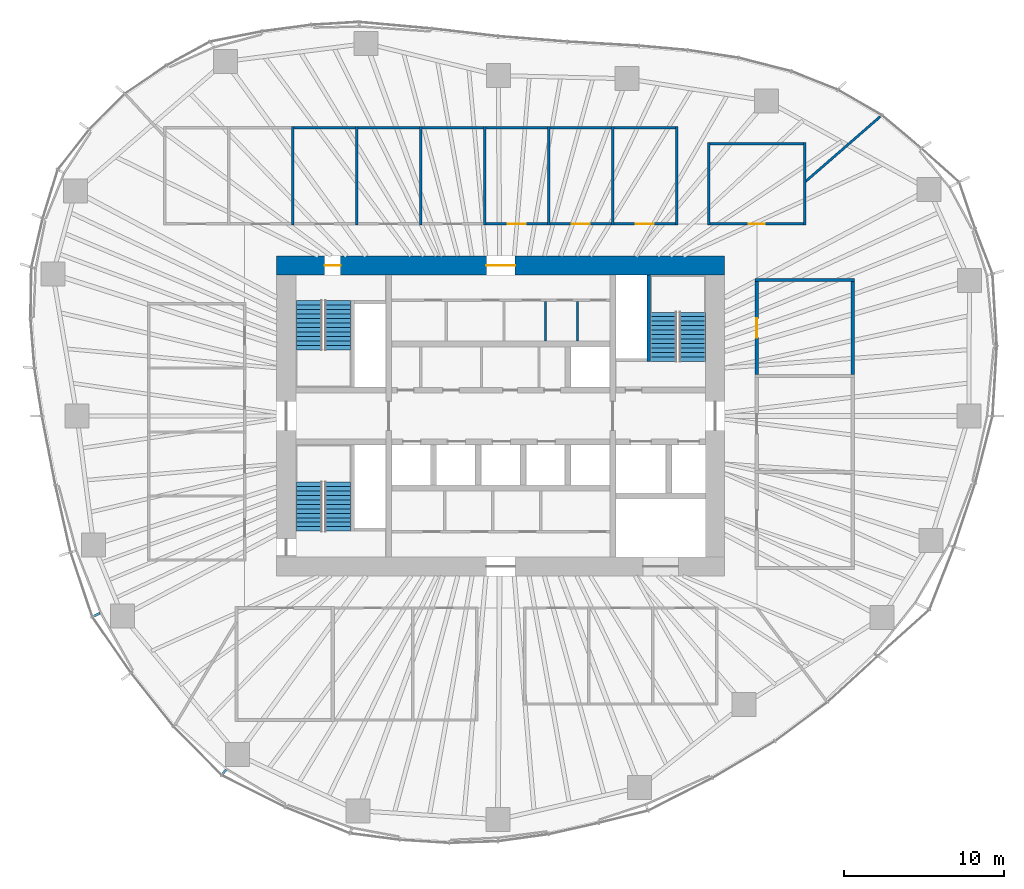
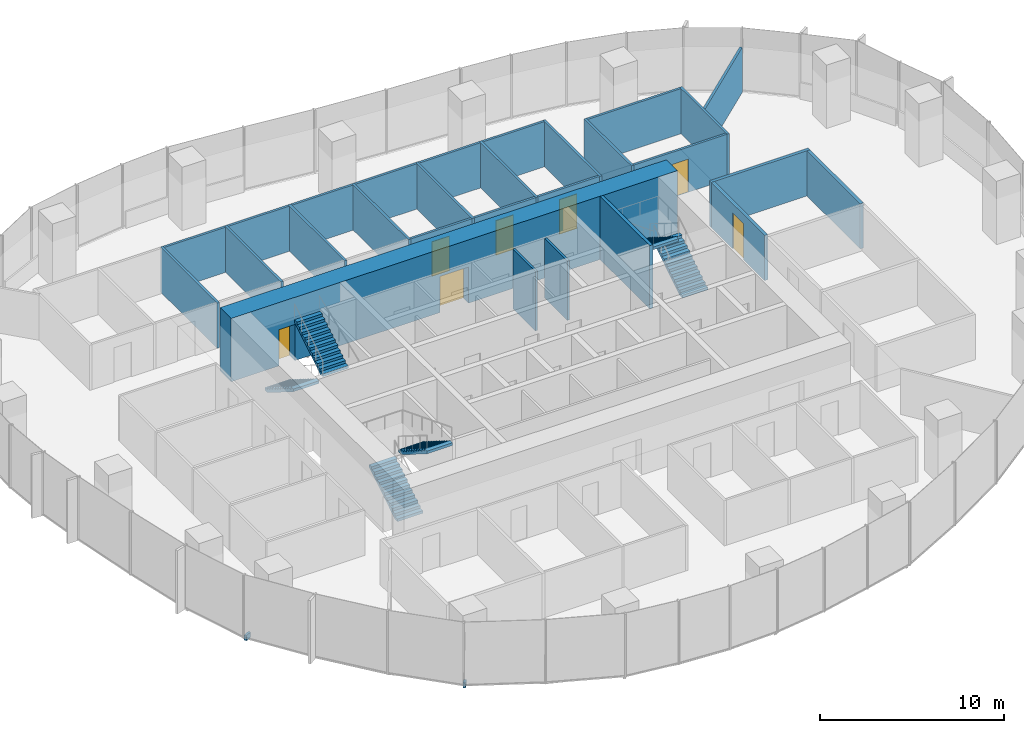
# One storey, part 11 of 18: 28 walls, 7 doors, 6 stair flights, 2 discrete accessories, 7 openings, 3 elements without a shape of their own.
"""IFC4 building model written with IfcOpenShell, lengths in metres."""

from ifc_helpers import new_model, si_unit, direction, frame, frame_2d, origin, origin_2d, place, context, subcontext, project, spatial, polyline, rectangle, outline, extrude, material, layer, layer_set, type_object, element, fill, aggregate, save


model = new_model("IFC4")

# Units and contexts
model_context = context("Model", 3, precision=1e-05, world=origin(), true_north=direction((0.0, 1.0)))
body_context = subcontext(model_context, "Body", "Model", "MODEL_VIEW")
ifc_project = project(units=[si_unit("LENGTHUNIT", "METRE"), si_unit("AREAUNIT", "SQUARE_METRE"), si_unit("VOLUMEUNIT", "CUBIC_METRE"), si_unit("PLANEANGLEUNIT", "RADIAN"), si_unit("MASSUNIT", "GRAM", prefix="KILO")], contexts=[model_context])

# Site, building, storey
site_placement = place(None, origin())
site = spatial("IfcSite", under=ifc_project, at=site_placement, CompositionType="ELEMENT")
building_placement = place(site_placement, origin())
building = spatial("IfcBuilding", under=site, at=building_placement, Name="Ghaith Harvest Tower", CompositionType="ELEMENT")
storey_placement = place(building_placement, frame((0.0, 0.0, 113.39990234375)))
storey = spatial("IfcBuildingStorey", under=building, at=storey_placement, Name="L23", CompositionType="ELEMENT", Elevation=113.39990234375)

# Wall
ifc_material_1 = material(Name="Twin-stud gypsum board, acoustic", Category="gypsum")
ifc_layer_1 = layer(ifc_material_1, 0.199951171875)
ifc_layer_set_1 = layer_set([ifc_layer_1], Name="ACOUSTIC PARTITION 200")
wall_type_1 = type_object("IfcWallType", Name="ACOUSTIC PARTITION 200", PredefinedType="PARTITIONING", material=ifc_layer_set_1)
wall_1_placement = place(storey_placement, frame((15.89990234375, 8.5, 0.0), z_axis=(0.0, 0.0, 1.0), x_axis=(1.0, 0.0, 0.0)))
element("IfcWall", 1, at=wall_1_placement, inside=storey, type_object=wall_type_1, Name="Partition L23 row E3 cross wall 4", PredefinedType="PARTITIONING", context=body_context, shape_type="SweptSolid", body=[
    extrude(rectangle(XDim=6.2001953125, YDim=0.199951171875, at=frame_2d((3.10009765625, 0.0))), origin(), (0.0, 0.0, 1.0), 3.0),
])

# Wall, opening, door
wall_2_placement = place(storey_placement, frame((16.0, 2.60009765625, 0.0), z_axis=(0.0, 0.0, 1.0), x_axis=(0.0, 1.0, 0.0)))
wall_2 = element("IfcWall", 2, at=wall_2_placement, inside=storey, type_object=wall_type_1, Name="Partition L23-12", PredefinedType="PARTITIONING", context=body_context, shape_type="SweptSolid", body=[
    extrude(rectangle(XDim=5.7998046875, YDim=0.199951171875, at=frame_2d((2.89990234375, 0.0))), origin(), (0.0, 0.0, 1.0), 3.0),
])
opening_1_placement = place(wall_2_placement, frame((2.300048828125, 0.0, 0.0)))
opening_1 = element("IfcOpeningElement", 3, at=opening_1_placement, cuts=wall_2, Name="Opening 23-041", PredefinedType="OPENING", context=body_context, shape_type="SweptSolid", body=[
    extrude(rectangle(XDim=1.199951171875, YDim=2.39990234375, at=frame_2d((0.60009765625, 1.199951171875))), frame((0.0, 0.10986328125, 0.0), z_axis=(0.0, -1.0, 0.0), x_axis=(1.0, 0.0, 0.0)), (0.0, 0.0, 1.0), 0.219970703125),
])
ifc_material_2 = material(Name="Timber door", Category="wood")
door_type_1 = type_object("IfcDoorType", Name="D11 GLAZED 1200x2400", OperationType="SINGLE_SWING_LEFT", PredefinedType="DOOR", material=ifc_material_2)
door_1_placement = place(opening_1_placement, origin())
door_1 = element("IfcDoor", 4, at=door_1_placement, inside=storey, type_object=door_type_1, Name="Meeting room door", OperationType="SINGLE_SWING_LEFT", OverallHeight=2.39990234375, OverallWidth=1.199951171875, PredefinedType="DOOR", context=body_context, shape_type="SweptSolid", body=[
    extrude(rectangle(XDim=1.199951171875, YDim=2.39990234375, at=frame_2d((0.60009765625, 1.199951171875))), frame((0.0, 0.02490234375, 0.0), z_axis=(0.0, -1.0, 0.0), x_axis=(1.0, 0.0, 0.0)), (0.0, 0.0, 1.0), 0.050048828125),
])
fill(opening_1, door_1)

# Walls
wall_3_placement = place(storey_placement, frame((22.0, 2.60009765625, 0.0), z_axis=(0.0, 0.0, 1.0), x_axis=(0.0, 1.0, 0.0)))
element("IfcWall", 5, at=wall_3_placement, inside=storey, type_object=wall_type_1, Name="Partition L23-12", PredefinedType="PARTITIONING", context=body_context, shape_type="SweptSolid", body=[
    extrude(rectangle(XDim=5.7998046875, YDim=0.199951171875, at=frame_2d((2.89990234375, 0.0))), origin(), (0.0, 0.0, 1.0), 3.0),
])
ifc_material_3 = material(Name="Concrete blockwork, fair-faced", Category="masonry")
ifc_layer_2 = layer(ifc_material_3, 0.139892578125)
ifc_layer_set_2 = layer_set([ifc_layer_2], Name="CORE PARTITION 140")
wall_type_2 = type_object("IfcWallType", Name="CORE PARTITION 140", PredefinedType="PARTITIONING", material=ifc_layer_set_2)
for number, where, z_axis, x_axis, name in (
    (6, (2.800048828125, 4.699951171875, 0.0), (0.0, 0.0, 1.0), (0.0, 1.0, 0.0), "Core partition L23"),
    (7, (4.800048828125, 4.699951171875, 0.0), (0.0, 0.0, 1.0), (0.0, 1.0, 0.0), "Core partition L23"),
):
    element("IfcWall", number, at=place(storey_placement, frame(where, z_axis=z_axis, x_axis=x_axis)), inside=storey, type_object=wall_type_2, Name=name, PredefinedType="PARTITIONING", context=body_context, shape_type="SweptSolid", body=[
        extrude(rectangle(XDim=2.4599609375, YDim=0.139892578125, at=frame_2d((1.22998046875, 0.0))), origin(), (0.0, 0.0, 1.0), 3.9501953125),
    ])

# Wall, openings, doors
ifc_material_4 = material(Name="Concrete C60/75", Category="concrete")
ifc_layer_3 = layer(ifc_material_4, 1.199951171875)
ifc_layer_set_3 = layer_set([ifc_layer_3], Name="CORE WALL CW1200 C60")
wall_type_3 = type_object("IfcWallType", Name="CORE WALL CW1200 C60", PredefinedType="SHEAR", material=ifc_layer_set_3)
wall_4_placement = place(storey_placement, frame((14.0, 9.39990234375, 0.0), z_axis=(0.0, 0.0, 1.0), x_axis=(-1.0, 0.0, 0.0)))
wall_4 = element("IfcWall", 8, at=wall_4_placement, inside=storey, type_object=wall_type_3, Name="Core wall N L23", PredefinedType="SHEAR", context=body_context, shape_type="SweptSolid", body=[
    extrude(rectangle(XDim=28.0, YDim=1.199951171875, at=frame_2d((14.0, 0.0))), origin(), (0.0, 0.0, 1.0), 4.2001953125),
])
opening_2_placement = place(wall_4_placement, frame((24.0, 0.0, 0.0)))
opening_2 = element("IfcOpeningElement", 9, at=opening_2_placement, cuts=wall_4, Name="Opening 23-005", PredefinedType="OPENING", context=body_context, shape_type="SweptSolid", body=[
    extrude(rectangle(XDim=1.0, YDim=2.39990234375, at=frame_2d((0.5, 1.199951171875))), frame((0.0, 0.60986328125, 0.0), z_axis=(0.0, -1.0, 0.0), x_axis=(1.0, 0.0, 0.0)), (0.0, 0.0, 1.0), 1.219970703125),
])
opening_3_placement = place(wall_4_placement, frame((13.10009765625, 0.0, 0.0)))
opening_3 = element("IfcOpeningElement", 10, at=opening_3_placement, cuts=wall_4, Name="Opening 23-021", PredefinedType="OPENING", context=body_context, shape_type="SweptSolid", body=[
    extrude(rectangle(XDim=1.800048828125, YDim=2.39990234375, at=frame_2d((0.89990234375, 1.199951171875))), frame((0.0, 0.60986328125, 0.0), z_axis=(0.0, -1.0, 0.0), x_axis=(1.0, 0.0, 0.0)), (0.0, 0.0, 1.0), 1.219970703125),
])
ifc_material_5 = material(Name="Steel fire door", Category="steel")
door_type_2 = type_object("IfcDoorType", Name="D3 FD90 1000x2400", OperationType="SINGLE_SWING_LEFT", PredefinedType="DOOR", material=ifc_material_5)
door_2_placement = place(opening_2_placement, origin())
door_2 = element("IfcDoor", 11, at=door_2_placement, inside=storey, type_object=door_type_2, Name="Stair ST1 door", OperationType="SINGLE_SWING_RIGHT", OverallHeight=2.39990234375, OverallWidth=1.0, PredefinedType="DOOR", context=body_context, shape_type="SweptSolid", body=[
    extrude(rectangle(XDim=1.0, YDim=2.39990234375, at=frame_2d((0.5, 1.199951171875))), frame((0.0, 0.02490234375, 0.0), z_axis=(0.0, -1.0, 0.0), x_axis=(1.0, 0.0, 0.0)), (0.0, 0.0, 1.0), 0.050048828125),
])
fill(opening_2, door_2)
ifc_material_6 = material(Name="Steel fire door", Category="steel")
door_type_3 = type_object("IfcDoorType", Name="D4 FD90 PAIR 1800x2400", OperationType="DOUBLE_DOOR_SINGLE_SWING", PredefinedType="DOOR", material=ifc_material_6)
door_3_placement = place(opening_3_placement, origin())
door_3 = element("IfcDoor", 12, at=door_3_placement, inside=storey, type_object=door_type_3, Name="Core service corridor doors", OperationType="DOUBLE_DOOR_SINGLE_SWING", OverallHeight=2.39990234375, OverallWidth=1.800048828125, PredefinedType="DOOR", context=body_context, shape_type="SweptSolid", body=[
    extrude(rectangle(XDim=1.800048828125, YDim=2.39990234375, at=frame_2d((0.89990234375, 1.199951171875))), frame((0.0, 0.02490234375, 0.0), z_axis=(0.0, -1.0, 0.0), x_axis=(1.0, 0.0, 0.0)), (0.0, 0.0, 1.0), 0.050048828125),
])
fill(opening_3, door_3)

# Walls
ifc_material_7 = material(Name="Gypsum board on steel studs", Category="steel")
ifc_layer_4 = layer(ifc_material_7, 0.14990234375)
ifc_layer_set_4 = layer_set([ifc_layer_4], Name="PARTITION 150")
wall_type_4 = type_object("IfcWallType", Name="PARTITION 150", PredefinedType="PARTITIONING", material=ifc_layer_set_4)
for number, where, z_axis, x_axis, name in (
    (13, (-13.0, 11.925048828125, 0.0), (0.0, 0.0, 1.0), (0.0, 1.0, 0.0), "Partition L23 row N1 cross wall 3"),
    (14, (-9.0, 11.925048828125, 0.0), (0.0, 0.0, 1.0), (0.0, 1.0, 0.0), "Partition L23 row N1 cross wall 4"),
    (15, (-5.0, 11.925048828125, 0.0), (0.0, 0.0, 1.0), (0.0, 1.0, 0.0), "Partition L23 row N1 cross wall 5"),
    (16, (-1.0, 11.925048828125, 0.0), (0.0, 0.0, 1.0), (0.0, 1.0, 0.0), "Partition L23 row N1 cross wall 6"),
    (17, (3.0, 11.925048828125, 0.0), (0.0, 0.0, 1.0), (0.0, 1.0, 0.0), "Partition L23 row N1 cross wall 7"),
    (18, (7.0, 11.925048828125, 0.0), (0.0, 0.0, 1.0), (0.0, 1.0, 0.0), "Partition L23 row N1 cross wall 8"),
    (19, (11.0, 11.925048828125, 0.0), (0.0, 0.0, 1.0), (0.0, 1.0, 0.0), "Partition L23 row N1 cross wall 9"),
):
    element("IfcWall", number, at=place(storey_placement, frame(where, z_axis=z_axis, x_axis=x_axis)), inside=storey, type_object=wall_type_4, Name=name, PredefinedType="PARTITIONING", context=body_context, shape_type="SweptSolid", body=[
        extrude(rectangle(XDim=6.14990234375, YDim=0.14990234375, at=frame_2d((3.074951171875, 0.0))), origin(), (0.0, 0.0, 1.0), 3.0),
    ])
for number, where, z_axis, x_axis, name in (
    (20, (-12.925048828125, 18.0, 0.0), (0.0, 0.0, 1.0), (1.0, 0.0, 0.0), "Partition L23-03"),
    (21, (-8.925048828125, 18.0, 0.0), (0.0, 0.0, 1.0), (1.0, 0.0, 0.0), "Partition L23-04"),
    (22, (-4.925048828125, 18.0, 0.0), (0.0, 0.0, 1.0), (1.0, 0.0, 0.0), "Partition L23-05"),
):
    element("IfcWall", number, at=place(storey_placement, frame(where, z_axis=z_axis, x_axis=x_axis)), inside=storey, type_object=wall_type_4, Name=name, PredefinedType="PARTITIONING", context=body_context, shape_type="SweptSolid", body=[
        extrude(rectangle(XDim=3.85009765625, YDim=0.14990234375, at=frame_2d((1.925048828125, 0.0))), origin(), (0.0, 0.0, 1.0), 3.0),
    ])

# Wall, opening, door
wall_5_placement = place(storey_placement, frame((-0.925048828125, 12.0, 0.0), z_axis=(0.0, 0.0, 1.0), x_axis=(1.0, 0.0, 0.0)))
wall_5 = element("IfcWall", 23, at=wall_5_placement, inside=storey, type_object=wall_type_4, Name="Partition L23-06", PredefinedType="PARTITIONING", context=body_context, shape_type="SweptSolid", body=[
    extrude(rectangle(XDim=3.85009765625, YDim=0.14990234375, at=frame_2d((1.925048828125, 0.0))), origin(), (0.0, 0.0, 1.0), 3.0),
])
opening_4_placement = place(wall_5_placement, frame((1.375, 0.0, 0.0)))
opening_4 = element("IfcOpeningElement", 24, at=opening_4_placement, cuts=wall_5, Name="Opening 23-035", PredefinedType="OPENING", context=body_context, shape_type="SweptSolid", body=[
    extrude(rectangle(XDim=1.10009765625, YDim=2.300048828125, at=frame_2d((0.550048828125, 1.14990234375))), frame((0.0, 0.0849609375, 0.0), z_axis=(0.0, -1.0, 0.0), x_axis=(1.0, 0.0, 0.0)), (0.0, 0.0, 1.0), 0.169921875),
])
ifc_material_8 = material(Name="Timber-framed glazed door", Category="wood")
door_type_4 = type_object("IfcDoorType", Name="D12 GLAZED OFFICE 1100x2300", OperationType="SINGLE_SWING_LEFT", PredefinedType="DOOR", material=ifc_material_8)
door_4_placement = place(opening_4_placement, origin())
door_4 = element("IfcDoor", 25, at=door_4_placement, inside=storey, type_object=door_type_4, Name="Office door", OperationType="SINGLE_SWING_LEFT", OverallHeight=2.300048828125, OverallWidth=1.10009765625, PredefinedType="DOOR", context=body_context, shape_type="SweptSolid", body=[
    extrude(rectangle(XDim=1.10009765625, YDim=2.300048828125, at=frame_2d((0.550048828125, 1.14990234375))), frame((0.0, 0.02490234375, 0.0), z_axis=(0.0, -1.0, 0.0), x_axis=(1.0, 0.0, 0.0)), (0.0, 0.0, 1.0), 0.050048828125),
])
fill(opening_4, door_4)

# Wall
wall_6_placement = place(storey_placement, frame((-0.925048828125, 18.0, 0.0), z_axis=(0.0, 0.0, 1.0), x_axis=(1.0, 0.0, 0.0)))
element("IfcWall", 26, at=wall_6_placement, inside=storey, type_object=wall_type_4, Name="Partition L23-06", PredefinedType="PARTITIONING", context=body_context, shape_type="SweptSolid", body=[
    extrude(rectangle(XDim=3.85009765625, YDim=0.14990234375, at=frame_2d((1.925048828125, 0.0))), origin(), (0.0, 0.0, 1.0), 3.0),
])

# Wall, opening, door
wall_7_placement = place(storey_placement, frame((3.074951171875, 12.0, 0.0), z_axis=(0.0, 0.0, 1.0), x_axis=(1.0, 0.0, 0.0)))
wall_7 = element("IfcWall", 27, at=wall_7_placement, inside=storey, type_object=wall_type_4, Name="Partition L23-07", PredefinedType="PARTITIONING", context=body_context, shape_type="SweptSolid", body=[
    extrude(rectangle(XDim=3.85009765625, YDim=0.14990234375, at=frame_2d((1.925048828125, 0.0))), origin(), (0.0, 0.0, 1.0), 3.0),
])
opening_5_placement = place(wall_7_placement, frame((1.375, 0.0, 0.0)))
opening_5 = element("IfcOpeningElement", 28, at=opening_5_placement, cuts=wall_7, Name="Opening 23-036", PredefinedType="OPENING", context=body_context, shape_type="SweptSolid", body=[
    extrude(rectangle(XDim=1.10009765625, YDim=2.300048828125, at=frame_2d((0.550048828125, 1.14990234375))), frame((0.0, 0.0849609375, 0.0), z_axis=(0.0, -1.0, 0.0), x_axis=(1.0, 0.0, 0.0)), (0.0, 0.0, 1.0), 0.169921875),
])
door_5_placement = place(opening_5_placement, origin())
door_5 = element("IfcDoor", 29, at=door_5_placement, inside=storey, type_object=door_type_4, Name="Office door", OperationType="SINGLE_SWING_LEFT", OverallHeight=2.300048828125, OverallWidth=1.10009765625, PredefinedType="DOOR", context=body_context, shape_type="SweptSolid", body=[
    extrude(rectangle(XDim=1.10009765625, YDim=2.300048828125, at=frame_2d((0.550048828125, 1.14990234375))), frame((0.0, 0.02490234375, 0.0), z_axis=(0.0, -1.0, 0.0), x_axis=(1.0, 0.0, 0.0)), (0.0, 0.0, 1.0), 0.050048828125),
])
fill(opening_5, door_5)

# Wall
wall_8_placement = place(storey_placement, frame((3.074951171875, 18.0, 0.0), z_axis=(0.0, 0.0, 1.0), x_axis=(1.0, 0.0, 0.0)))
element("IfcWall", 30, at=wall_8_placement, inside=storey, type_object=wall_type_4, Name="Partition L23-07", PredefinedType="PARTITIONING", context=body_context, shape_type="SweptSolid", body=[
    extrude(rectangle(XDim=3.85009765625, YDim=0.14990234375, at=frame_2d((1.925048828125, 0.0))), origin(), (0.0, 0.0, 1.0), 3.0),
])

# Wall, opening, door
wall_9_placement = place(storey_placement, frame((7.074951171875, 12.0, 0.0), z_axis=(0.0, 0.0, 1.0), x_axis=(1.0, 0.0, 0.0)))
wall_9 = element("IfcWall", 31, at=wall_9_placement, inside=storey, type_object=wall_type_4, Name="Partition L23-08", PredefinedType="PARTITIONING", context=body_context, shape_type="SweptSolid", body=[
    extrude(rectangle(XDim=3.85009765625, YDim=0.14990234375, at=frame_2d((1.925048828125, 0.0))), origin(), (0.0, 0.0, 1.0), 3.0),
])
opening_6_placement = place(wall_9_placement, frame((1.375, 0.0, 0.0)))
opening_6 = element("IfcOpeningElement", 32, at=opening_6_placement, cuts=wall_9, Name="Opening 23-037", PredefinedType="OPENING", context=body_context, shape_type="SweptSolid", body=[
    extrude(rectangle(XDim=1.10009765625, YDim=2.300048828125, at=frame_2d((0.550048828125, 1.14990234375))), frame((0.0, 0.0849609375, 0.0), z_axis=(0.0, -1.0, 0.0), x_axis=(1.0, 0.0, 0.0)), (0.0, 0.0, 1.0), 0.169921875),
])
door_6_placement = place(opening_6_placement, origin())
door_6 = element("IfcDoor", 33, at=door_6_placement, inside=storey, type_object=door_type_4, Name="Office door", OperationType="SINGLE_SWING_LEFT", OverallHeight=2.300048828125, OverallWidth=1.10009765625, PredefinedType="DOOR", context=body_context, shape_type="SweptSolid", body=[
    extrude(rectangle(XDim=1.10009765625, YDim=2.300048828125, at=frame_2d((0.550048828125, 1.14990234375))), frame((0.0, 0.02490234375, 0.0), z_axis=(0.0, -1.0, 0.0), x_axis=(1.0, 0.0, 0.0)), (0.0, 0.0, 1.0), 0.050048828125),
])
fill(opening_6, door_6)

# Walls
wall_10_placement = place(storey_placement, frame((7.074951171875, 18.0, 0.0), z_axis=(0.0, 0.0, 1.0), x_axis=(1.0, 0.0, 0.0)))
element("IfcWall", 34, at=wall_10_placement, inside=storey, type_object=wall_type_4, Name="Partition L23-08", PredefinedType="PARTITIONING", context=body_context, shape_type="SweptSolid", body=[
    extrude(rectangle(XDim=3.85009765625, YDim=0.14990234375, at=frame_2d((1.925048828125, 0.0))), origin(), (0.0, 0.0, 1.0), 3.0),
])
for number, where, z_axis, x_axis, name in (
    (35, (13.0, 11.925048828125, 0.0), (0.0, 0.0, 1.0), (0.0, 1.0, 0.0), "Partition L23 row N2 cross wall 1"),
    (36, (19.0, 11.925048828125, 0.0), (0.0, 0.0, 1.0), (0.0, 1.0, 0.0), "Partition L23 row N2 cross wall 2"),
):
    element("IfcWall", number, at=place(storey_placement, frame(where, z_axis=z_axis, x_axis=x_axis)), inside=storey, type_object=wall_type_4, Name=name, PredefinedType="PARTITIONING", context=body_context, shape_type="SweptSolid", body=[
        extrude(rectangle(XDim=5.14990234375, YDim=0.14990234375, at=frame_2d((2.574951171875, 0.0))), origin(), (0.0, 0.0, 1.0), 3.0),
    ])

# Wall, opening, door
wall_11_placement = place(storey_placement, frame((13.074951171875, 12.0, 0.0), z_axis=(0.0, 0.0, 1.0), x_axis=(1.0, 0.0, 0.0)))
wall_11 = element("IfcWall", 37, at=wall_11_placement, inside=storey, type_object=wall_type_4, Name="Partition L23-09", PredefinedType="PARTITIONING", context=body_context, shape_type="SweptSolid", body=[
    extrude(rectangle(XDim=5.85009765625, YDim=0.14990234375, at=frame_2d((2.925048828125, 0.0))), origin(), (0.0, 0.0, 1.0), 3.0),
])
opening_7_placement = place(wall_11_placement, frame((2.425048828125, 0.0, 0.0)))
opening_7 = element("IfcOpeningElement", 38, at=opening_7_placement, cuts=wall_11, Name="Opening 23-038", PredefinedType="OPENING", context=body_context, shape_type="SweptSolid", body=[
    extrude(rectangle(XDim=1.0, YDim=2.199951171875, at=frame_2d((0.5, 1.10009765625))), frame((0.0, 0.0849609375, 0.0), z_axis=(0.0, -1.0, 0.0), x_axis=(1.0, 0.0, 0.0)), (0.0, 0.0, 1.0), 0.169921875),
])
ifc_material_9 = material(Name="Timber door", Category="wood")
door_type_5 = type_object("IfcDoorType", Name="D1 SINGLE 1000x2200", OperationType="SINGLE_SWING_LEFT", PredefinedType="DOOR", material=ifc_material_9)
door_7_placement = place(opening_7_placement, origin())
door_7 = element("IfcDoor", 39, at=door_7_placement, inside=storey, type_object=door_type_5, Name="Pantry door", OperationType="SINGLE_SWING_LEFT", OverallHeight=2.199951171875, OverallWidth=1.0, PredefinedType="DOOR", context=body_context, shape_type="SweptSolid", body=[
    extrude(rectangle(XDim=1.0, YDim=2.199951171875, at=frame_2d((0.5, 1.10009765625))), frame((0.0, 0.02490234375, 0.0), z_axis=(0.0, -1.0, 0.0), x_axis=(1.0, 0.0, 0.0)), (0.0, 0.0, 1.0), 0.050048828125),
])
fill(opening_7, door_7)

# Walls
wall_12_placement = place(storey_placement, frame((13.074951171875, 17.0, 0.0), z_axis=(0.0, 0.0, 1.0), x_axis=(1.0, 0.0, 0.0)))
element("IfcWall", 40, at=wall_12_placement, inside=storey, type_object=wall_type_4, Name="Partition L23-09", PredefinedType="PARTITIONING", context=body_context, shape_type="SweptSolid", body=[
    extrude(rectangle(XDim=5.85009765625, YDim=0.14990234375, at=frame_2d((2.925048828125, 0.0))), origin(), (0.0, 0.0, 1.0), 3.0),
])
wall_13_placement = place(storey_placement, frame((19.02001953125, 14.62548828125, 0.0), z_axis=(0.0, 0.0, 1.0), x_axis=(0.754691753605, 0.656079535605, 0.0)))
element("IfcWall", 41, at=wall_13_placement, inside=storey, type_object=wall_type_4, Name="Partition L23 zone division", PredefinedType="PARTITIONING", context=body_context, shape_type="SweptSolid", body=[
    extrude(rectangle(XDim=6.216552734375, YDim=0.14990234375, at=frame_2d((3.1083984375, 0.0))), origin(), (0.0, 0.0, 1.0), 3.0),
])
ifc_material_10 = material(Name="Concrete C40/50", Category="concrete")
ifc_layer_5 = layer(ifc_material_10, 0.199951171875)
ifc_layer_set_5 = layer_set([ifc_layer_5], Name="STAIR SPINE WALL RC200")
wall_type_5 = type_object("IfcWallType", Name="STAIR SPINE WALL RC200", PredefinedType="SOLIDWALL", material=ifc_layer_set_5)
wall_14_placement = place(storey_placement, frame((9.25, 3.39990234375, 0.0), z_axis=(0.0, 0.0, 1.0), x_axis=(0.0, 1.0, 0.0)))
element("IfcWall", 42, at=wall_14_placement, inside=storey, type_object=wall_type_5, Name="Stair ST2 spine wall L23", PredefinedType="SOLIDWALL", context=body_context, shape_type="SweptSolid", body=[
    extrude(rectangle(XDim=5.400146484375, YDim=0.199951171875, at=frame_2d((2.7001953125, 0.0))), origin(), (0.0, 0.0, 1.0), 4.2001953125),
])

# Stair, stair flights
ifc_material_11 = material(Name="Concrete C40/50, precast", Category="concrete")
stair_type = type_object("IfcStairType", Name="CORE STAIR 24R", PredefinedType="HALF_TURN_STAIR", material=ifc_material_11)
stair_1_placement = place(storey_placement, origin())
stair_1 = element("IfcStair", 43, at=stair_1_placement, inside=storey, type_object=stair_type, Name="Stair ST1 L23", PredefinedType="HALF_TURN_STAIR")
ifc_material_12 = material(Name="Concrete C40/50, precast", Category="concrete")
stair_flight_type = type_object("IfcStairFlightType", Name="CORE FLIGHT 12R 1600", PredefinedType="STRAIGHT", material=ifc_material_12)
stair_flight_1_placement = place(storey_placement, frame((-12.0, 7.199951171875, 0.0), z_axis=(0.0, 0.0, 1.0), x_axis=(0.0, -1.0, 0.0)))
stair_flight_1 = element("IfcStairFlight", 44, at=stair_flight_1_placement, type_object=stair_flight_type, Name="ST1 flight 1", NumberOfRisers=12, NumberOfTreads=11, PredefinedType="STRAIGHT", RiserHeight=0.175, TreadLength=0.28, context=body_context, shape_type="SweptSolid", body=[
    extrude(outline(polyline([(0.0, 0.0), (0.0, 0.175048828125), (0.280029296875, 0.175048828125), (0.280029296875, 0.35009765625), (0.56005859375, 0.35009765625), (0.56005859375, 0.52490234375), (0.840087890625, 0.52490234375), (0.840087890625, 0.699951171875), (1.1201171875, 0.699951171875), (1.1201171875, 0.875), (1.39990234375, 0.875), (1.39990234375, 1.050048828125), (1.679931640625, 1.050048828125), (1.679931640625, 1.22509765625), (1.9599609375, 1.22509765625), (1.9599609375, 1.39990234375), (2.239990234375, 1.39990234375), (2.239990234375, 1.574951171875), (2.52001953125, 1.574951171875), (2.52001953125, 1.75), (2.800048828125, 1.75), (2.800048828125, 1.925048828125), (3.080078125, 1.925048828125), (3.080078125, 2.10009765625), (3.080078125, 1.748291015625), (0.28271484375, 0.0), (0.0, 0.0)])), frame((0.0, 0.800048828125, 0.0), z_axis=(0.0, -1.0, 0.0), x_axis=(1.0, 0.0, 0.0)), (0.0, 0.0, 1.0), 1.60009765625),
])
stair_flight_2_placement = place(storey_placement, frame((-10.14990234375, 4.1201171875, 2.10009765625), z_axis=(0.0, 0.0, 1.0), x_axis=(0.0, 1.0, 0.0)))
stair_flight_2 = element("IfcStairFlight", 45, at=stair_flight_2_placement, type_object=stair_flight_type, Name="ST1 flight 2", NumberOfRisers=12, NumberOfTreads=11, PredefinedType="STRAIGHT", RiserHeight=0.175, TreadLength=0.28, context=body_context, shape_type="SweptSolid", body=[
    extrude(outline(polyline([(0.0, 0.0), (0.0, 0.175048828125), (0.280029296875, 0.175048828125), (0.280029296875, 0.35009765625), (0.56005859375, 0.35009765625), (0.56005859375, 0.52490234375), (0.840087890625, 0.52490234375), (0.840087890625, 0.699951171875), (1.1201171875, 0.699951171875), (1.1201171875, 0.875), (1.39990234375, 0.875), (1.39990234375, 1.050048828125), (1.679931640625, 1.050048828125), (1.679931640625, 1.22509765625), (1.9599609375, 1.22509765625), (1.9599609375, 1.39990234375), (2.239990234375, 1.39990234375), (2.239990234375, 1.574951171875), (2.52001953125, 1.574951171875), (2.52001953125, 1.75), (2.800048828125, 1.75), (2.800048828125, 1.925048828125), (3.080078125, 1.925048828125), (3.080078125, 2.10009765625), (3.080078125, 1.748291015625), (0.28271484375, 0.0), (0.0, 0.0)])), frame((0.0, 0.800048828125, 0.0), z_axis=(0.0, -1.0, 0.0), x_axis=(1.0, 0.0, 0.0)), (0.0, 0.0, 1.0), 1.60009765625),
])
aggregate(stair_1, [stair_flight_1, stair_flight_2])

stair_2_placement = place(storey_placement, origin())
stair_2 = element("IfcStair", 46, at=stair_2_placement, inside=storey, type_object=stair_type, Name="Stair ST3 L23", PredefinedType="HALF_TURN_STAIR")
stair_flight_3_placement = place(storey_placement, frame((-12.0, -7.199951171875, 0.0), z_axis=(0.0, 0.0, 1.0), x_axis=(0.0, 1.0, 0.0)))
stair_flight_3 = element("IfcStairFlight", 47, at=stair_flight_3_placement, type_object=stair_flight_type, Name="ST3 flight 1", NumberOfRisers=12, NumberOfTreads=11, PredefinedType="STRAIGHT", RiserHeight=0.175, TreadLength=0.28, context=body_context, shape_type="SweptSolid", body=[
    extrude(outline(polyline([(0.0, 0.0), (0.0, 0.175048828125), (0.280029296875, 0.175048828125), (0.280029296875, 0.35009765625), (0.56005859375, 0.35009765625), (0.56005859375, 0.52490234375), (0.840087890625, 0.52490234375), (0.840087890625, 0.699951171875), (1.1201171875, 0.699951171875), (1.1201171875, 0.875), (1.39990234375, 0.875), (1.39990234375, 1.050048828125), (1.679931640625, 1.050048828125), (1.679931640625, 1.22509765625), (1.9599609375, 1.22509765625), (1.9599609375, 1.39990234375), (2.239990234375, 1.39990234375), (2.239990234375, 1.574951171875), (2.52001953125, 1.574951171875), (2.52001953125, 1.75), (2.800048828125, 1.75), (2.800048828125, 1.925048828125), (3.080078125, 1.925048828125), (3.080078125, 2.10009765625), (3.080078125, 1.748291015625), (0.28271484375, 0.0), (0.0, 0.0)])), frame((0.0, 0.800048828125, 0.0), z_axis=(0.0, -1.0, 0.0), x_axis=(1.0, 0.0, 0.0)), (0.0, 0.0, 1.0), 1.60009765625),
])
stair_flight_4_placement = place(storey_placement, frame((-10.14990234375, -4.1201171875, 2.10009765625), z_axis=(0.0, 0.0, 1.0), x_axis=(0.0, -1.0, 0.0)))
stair_flight_4 = element("IfcStairFlight", 48, at=stair_flight_4_placement, type_object=stair_flight_type, Name="ST3 flight 2", NumberOfRisers=12, NumberOfTreads=11, PredefinedType="STRAIGHT", RiserHeight=0.175, TreadLength=0.28, context=body_context, shape_type="SweptSolid", body=[
    extrude(outline(polyline([(0.0, 0.0), (0.0, 0.175048828125), (0.280029296875, 0.175048828125), (0.280029296875, 0.35009765625), (0.56005859375, 0.35009765625), (0.56005859375, 0.52490234375), (0.840087890625, 0.52490234375), (0.840087890625, 0.699951171875), (1.1201171875, 0.699951171875), (1.1201171875, 0.875), (1.39990234375, 0.875), (1.39990234375, 1.050048828125), (1.679931640625, 1.050048828125), (1.679931640625, 1.22509765625), (1.9599609375, 1.22509765625), (1.9599609375, 1.39990234375), (2.239990234375, 1.39990234375), (2.239990234375, 1.574951171875), (2.52001953125, 1.574951171875), (2.52001953125, 1.75), (2.800048828125, 1.75), (2.800048828125, 1.925048828125), (3.080078125, 1.925048828125), (3.080078125, 2.10009765625), (3.080078125, 1.748291015625), (0.28271484375, 0.0), (0.0, 0.0)])), frame((0.0, 0.800048828125, 0.0), z_axis=(0.0, -1.0, 0.0), x_axis=(1.0, 0.0, 0.0)), (0.0, 0.0, 1.0), 1.60009765625),
])
aggregate(stair_2, [stair_flight_3, stair_flight_4])

stair_3_placement = place(storey_placement, origin())
stair_3 = element("IfcStair", 49, at=stair_3_placement, inside=storey, type_object=stair_type, Name="Stair ST2 L23", PredefinedType="HALF_TURN_STAIR")
stair_flight_5_placement = place(storey_placement, frame((12.0, 3.39990234375, 0.0), z_axis=(0.0, 0.0, 1.0), x_axis=(0.0, 1.0, 0.0)))
stair_flight_5 = element("IfcStairFlight", 50, at=stair_flight_5_placement, type_object=stair_flight_type, Name="ST2 flight 1", NumberOfRisers=12, NumberOfTreads=11, PredefinedType="STRAIGHT", RiserHeight=0.175, TreadLength=0.28, context=body_context, shape_type="SweptSolid", body=[
    extrude(outline(polyline([(0.0, 0.0), (0.0, 0.175048828125), (0.280029296875, 0.175048828125), (0.280029296875, 0.35009765625), (0.56005859375, 0.35009765625), (0.56005859375, 0.52490234375), (0.840087890625, 0.52490234375), (0.840087890625, 0.699951171875), (1.1201171875, 0.699951171875), (1.1201171875, 0.875), (1.39990234375, 0.875), (1.39990234375, 1.050048828125), (1.679931640625, 1.050048828125), (1.679931640625, 1.22509765625), (1.9599609375, 1.22509765625), (1.9599609375, 1.39990234375), (2.239990234375, 1.39990234375), (2.239990234375, 1.574951171875), (2.52001953125, 1.574951171875), (2.52001953125, 1.75), (2.800048828125, 1.75), (2.800048828125, 1.925048828125), (3.080078125, 1.925048828125), (3.080078125, 2.10009765625), (3.080078125, 1.748291015625), (0.28271484375, 0.0), (0.0, 0.0)])), frame((0.0, 0.800048828125, 0.0), z_axis=(0.0, -1.0, 0.0), x_axis=(1.0, 0.0, 0.0)), (0.0, 0.0, 1.0), 1.60009765625),
])
stair_flight_6_placement = place(storey_placement, frame((10.14990234375, 6.47998046875, 2.10009765625), z_axis=(0.0, 0.0, 1.0), x_axis=(0.0, -1.0, 0.0)))
stair_flight_6 = element("IfcStairFlight", 51, at=stair_flight_6_placement, type_object=stair_flight_type, Name="ST2 flight 2", NumberOfRisers=12, NumberOfTreads=11, PredefinedType="STRAIGHT", RiserHeight=0.175, TreadLength=0.28, context=body_context, shape_type="SweptSolid", body=[
    extrude(outline(polyline([(0.0, 0.0), (0.0, 0.175048828125), (0.280029296875, 0.175048828125), (0.280029296875, 0.35009765625), (0.56005859375, 0.35009765625), (0.56005859375, 0.52490234375), (0.840087890625, 0.52490234375), (0.840087890625, 0.699951171875), (1.1201171875, 0.699951171875), (1.1201171875, 0.875), (1.39990234375, 0.875), (1.39990234375, 1.050048828125), (1.679931640625, 1.050048828125), (1.679931640625, 1.22509765625), (1.9599609375, 1.22509765625), (1.9599609375, 1.39990234375), (2.239990234375, 1.39990234375), (2.239990234375, 1.574951171875), (2.52001953125, 1.574951171875), (2.52001953125, 1.75), (2.800048828125, 1.75), (2.800048828125, 1.925048828125), (3.080078125, 1.925048828125), (3.080078125, 2.10009765625), (3.080078125, 1.748291015625), (0.28271484375, 0.0), (0.0, 0.0)])), frame((0.0, 0.800048828125, 0.0), z_axis=(0.0, -1.0, 0.0), x_axis=(1.0, 0.0, 0.0)), (0.0, 0.0, 1.0), 1.60009765625),
])
aggregate(stair_3, [stair_flight_5, stair_flight_6])

# Discrete accessories
ifc_material_13 = material(Name="Stainless steel grade 1.4401", Category="steel")
discrete_accessory_type_1 = type_object("IfcDiscreteAccessoryType", Name="CURTAIN WALL BRACKET 315", PredefinedType="BRACKET", material=ifc_material_13)
discrete_accessory_1_placement = place(storey_placement, frame((-17.266357421875, -22.232421875, -0.25), z_axis=(0.0, 0.0, 1.0), x_axis=(-0.613377713774, -0.789789706343, 0.0)))
element("IfcDiscreteAccessory", 52, at=discrete_accessory_1_placement, inside=storey, type_object=discrete_accessory_type_1, Name="CW-L bracket 1 bay 14 L23", PredefinedType="BRACKET", context=body_context, shape_type="SweptSolid", body=[
    extrude(rectangle(XDim=0.31494140625, YDim=0.14990234375, at=origin_2d()), origin(), (0.0, 0.0, 1.0), 0.35009765625),
])
ifc_material_14 = material(Name="Stainless steel grade 1.4401", Category="steel")
discrete_accessory_type_2 = type_object("IfcDiscreteAccessoryType", Name="CURTAIN WALL BRACKET 415", PredefinedType="BRACKET", material=ifc_material_14)
discrete_accessory_2_placement = place(storey_placement, frame((-25.228515625, -12.41796875, -0.25), z_axis=(0.0, 0.0, 1.0), x_axis=(-0.897201221415, -0.441621974421, 0.0)))
element("IfcDiscreteAccessory", 53, at=discrete_accessory_2_placement, inside=storey, type_object=discrete_accessory_type_2, Name="CW-L bracket 2 bay 12 L23", PredefinedType="BRACKET", context=body_context, shape_type="SweptSolid", body=[
    extrude(rectangle(XDim=0.4150390625, YDim=0.14990234375, at=origin_2d()), origin(), (0.0, 0.0, 1.0), 0.35009765625),
])

save(model, "model.ifc")
